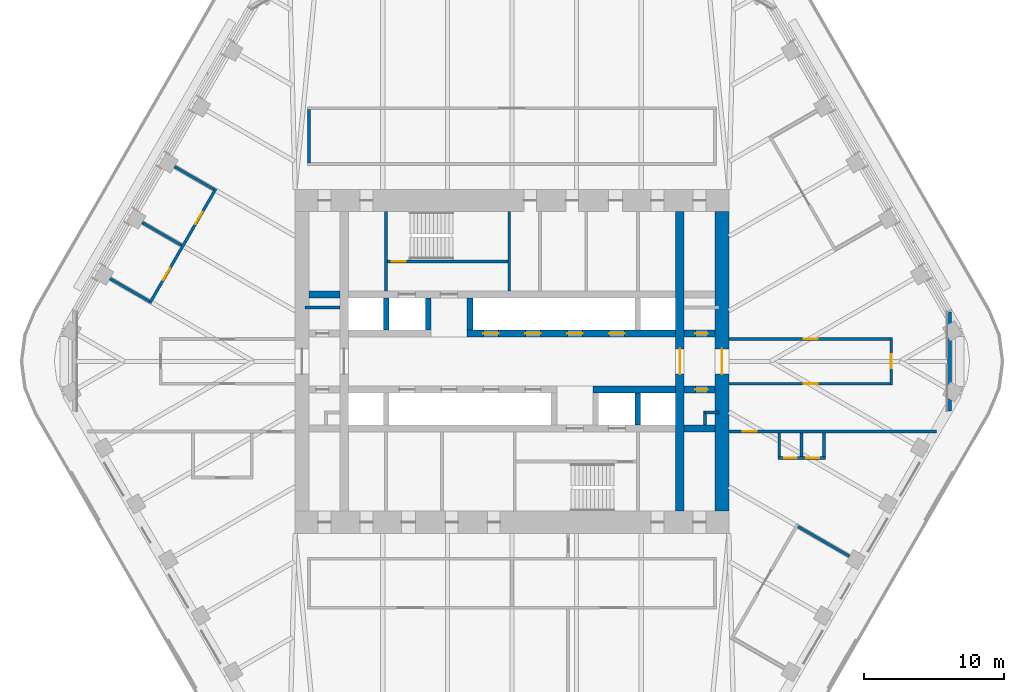
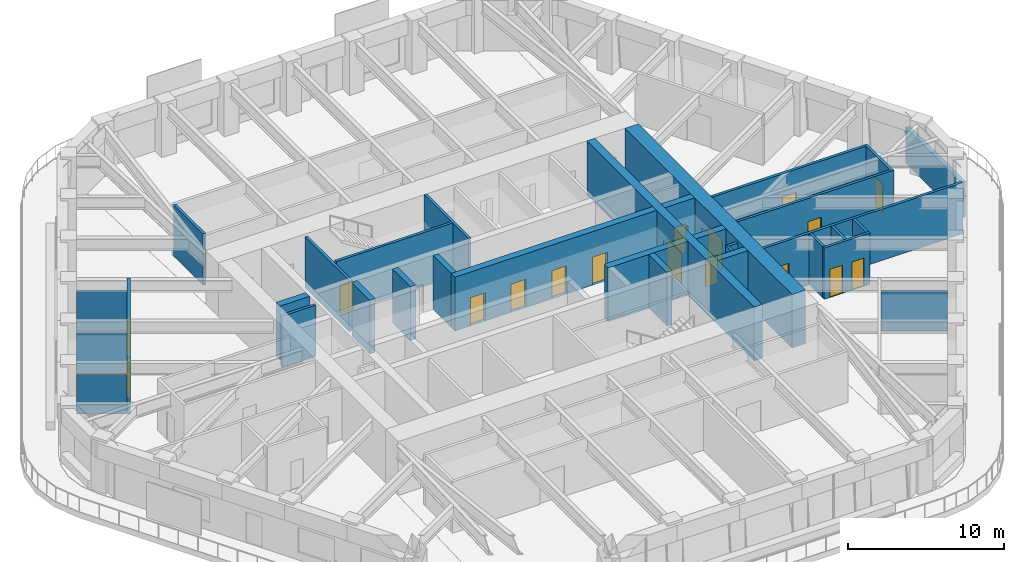
# One storey, part 16 of 20: 33 walls, 17 doors, 17 openings.
"""IFC4 building model written with IfcOpenShell, lengths in metres."""

import ifcopenshell
import ifcopenshell.guid

model = None  # the IFC model being written
_history = None  # IfcOwnerHistory: only IFC2X3 demands one
_inside = {}  # id of a spatial element -> (the spatial element, [elements in it])
_under = {}  # id of a project, library or spatial element -> (it, [spatial elements below it])
_declared = {}  # id of a project -> (the project, [libraries it declares])
_typed = {}  # id of a type object -> (the type object, [elements of that type])
_made_of = {}  # id of a material, layer set ... -> (it, [elements and type objects made of it])


def new_model(schema):
    """Start an empty IFC model of exactly this schema.

    Asked for "IFC4X3", IfcOpenShell would pick the latest addendum, in which some entities
    have other attributes; the version numbers below select the first issue.
    IFC2X3 requires an IfcOwnerHistory on every rooted entity: one is made here for all.
    """
    global model, _history
    if schema == "IFC4X3":
        model = ifcopenshell.file(schema_version=(4, 3, 0, 0))
    else:
        model = ifcopenshell.file(schema=schema)
    _inside.clear()
    _under.clear()
    _declared.clear()
    _typed.clear()
    _made_of.clear()
    _history = None
    if model.schema == "IFC2X3":
        org = make("IfcOrganization", Name="unknown")
        user = make(
            "IfcPersonAndOrganization",
            ThePerson=make("IfcPerson", FamilyName="unknown"),
            TheOrganization=org,
        )
        app = make(
            "IfcApplication",
            ApplicationDeveloper=org,
            Version="unknown",
            ApplicationFullName="unknown",
            ApplicationIdentifier="unknown",
        )
        _history = make(
            "IfcOwnerHistory",
            OwningUser=user,
            OwningApplication=app,
            ChangeAction="ADDED",
            CreationDate=0,
        )
    return model


def make(cls, **values):
    """One entity of the class cls with the attributes given. An attribute that is None is left unset."""
    return model.create_entity(
        cls, **{name: value for name, value in values.items() if value is not None}
    )


def rooted(cls, **values):
    """An entity with a GlobalId (a new one), such as an element, a storey or a relation."""
    return make(cls, GlobalId=ifcopenshell.guid.new(), OwnerHistory=_history, **values)


def si_unit(unit_type, name, prefix=None):
    """IfcSIUnit, for example si_unit("LENGTHUNIT", "METRE", prefix="MILLI")."""
    return make("IfcSIUnit", UnitType=unit_type, Prefix=prefix, Name=name)


def assignment(units):
    """IfcUnitAssignment: the units of a project."""
    return None if units is None else make("IfcUnitAssignment", Units=units)


def point(xyz):
    """IfcCartesianPoint."""
    return None if xyz is None else make("IfcCartesianPoint", Coordinates=xyz)


def direction(xyz):
    """IfcDirection."""
    return None if xyz is None else make("IfcDirection", DirectionRatios=xyz)


def frame(location, z_axis=None, x_axis=None):
    """IfcAxis2Placement3D, a coordinate frame: its origin and axes. An axis left out is left unset."""
    return make(
        "IfcAxis2Placement3D",
        Location=point(location),
        Axis=direction(z_axis),
        RefDirection=direction(x_axis),
    )


def frame_2d(location, x_axis=None):
    """IfcAxis2Placement2D, a coordinate frame in the plane: its origin and x axis."""
    return make(
        "IfcAxis2Placement2D", Location=point(location), RefDirection=direction(x_axis)
    )


def origin():
    """The frame at (0, 0, 0) with its axes left unset."""
    return frame((0.0, 0.0, 0.0))


def place(relative_to, where):
    """IfcLocalPlacement: puts the frame where relative to a parent placement (None: the world)."""
    return make(
        "IfcLocalPlacement", PlacementRelTo=relative_to, RelativePlacement=where
    )


def context(
    kind, dimensions, precision=None, world=None, true_north=None, identifier=None
):
    """IfcGeometricRepresentationContext, for example the 3D "Model" context."""
    return make(
        "IfcGeometricRepresentationContext",
        ContextIdentifier=identifier,
        ContextType=kind,
        CoordinateSpaceDimension=dimensions,
        Precision=precision,
        WorldCoordinateSystem=world,
        TrueNorth=true_north,
    )


def subcontext(parent, identifier, kind, view, scale=None):
    """IfcGeometricRepresentationSubContext, for example "Body" below "Model"."""
    return make(
        "IfcGeometricRepresentationSubContext",
        ContextIdentifier=identifier,
        ContextType=kind,
        ParentContext=parent,
        TargetScale=scale,
        TargetView=view,
    )


def project(units=None, contexts=None):
    """IfcProject with its units and contexts."""
    return rooted(
        "IfcProject",
        Name="project",
        RepresentationContexts=contexts,
        UnitsInContext=assignment(units),
    )


def spatial(cls, under=None, at=None, **own):
    """A site, building, storey or space (cls), placed at a placement, below another one or the project."""
    s = rooted(cls, ObjectPlacement=at, **own)
    if under is not None:
        _under.setdefault(under.id(), (under, []))[1].append(s)
    return s


def profile(cls, at=None, kind="AREA", **sizes):
    """A parametric profile (cls). Its sizes go by their IFC names, for example OverallWidth=200.0."""
    return make(cls, ProfileType=kind, Position=at, **sizes)


def rectangle(**sizes):
    """IfcRectangleProfileDef."""
    return profile("IfcRectangleProfileDef", **sizes)


def extrude(swept, where, along, depth):
    """IfcExtrudedAreaSolid: the profile swept, set in the frame where, extruded along a direction by depth."""
    return make(
        "IfcExtrudedAreaSolid",
        SweptArea=swept,
        Position=where,
        ExtrudedDirection=direction(along),
        Depth=depth,
    )


def shape(context_of_items, identifier, shape_type, items):
    """IfcShapeRepresentation: the items that make up one representation, for example the "Body"."""
    return make(
        "IfcShapeRepresentation",
        ContextOfItems=context_of_items,
        RepresentationIdentifier=identifier,
        RepresentationType=shape_type,
        Items=items,
    )


def material(Name=None, Category=None):
    """IfcMaterial."""
    return make("IfcMaterial", Name=Name, Category=Category)


def layer(
    of_material, thickness, ventilated=None, Name=None, Category=None, Priority=None
):
    """IfcMaterialLayer: one layer of a wall or slab, of a material (None: an air gap)."""
    return make(
        "IfcMaterialLayer",
        Material=of_material,
        LayerThickness=thickness,
        IsVentilated=ventilated,
        Name=Name,
        Category=Category,
        Priority=Priority,
    )


def layer_set(layers, Name=None):
    """IfcMaterialLayerSet."""
    return make("IfcMaterialLayerSet", MaterialLayers=layers, LayerSetName=Name)


def made_of(thing, what):
    """Note that an element or type object is made of a material, layer set ...; save() writes the relation."""
    if what is not None:
        _made_of.setdefault(what.id(), (what, []))[1].append(thing)
    return thing


def type_object(cls, material=None, **own):
    """A type object (cls), such as IfcWallType, which elements share."""
    return made_of(rooted(cls, **own), material)


def element(
    cls,
    number,
    at=None,
    inside=None,
    cuts=None,
    type_object=None,
    material=None,
    context=None,
    identifier="Body",
    shape_type=None,
    held_by="IfcProductDefinitionShape",
    body=None,
    shapes=None,
    **own,
):
    """One element of the class cls, such as IfcWall. Its Tag is "e" and its number.

    at: its placement. inside: the storey or other place that contains it. cuts: it is an
    opening in that element (IfcRelVoidsElement). A single representation is given by context,
    identifier, shape_type and body (its items); several are given by shapes. held_by: the class
    of the entity that holds the representations. save() writes the other relations.
    """
    e = rooted(cls, Tag="e%d" % number, ObjectPlacement=at, **own)
    if body is not None:
        shapes = [shape(context, identifier, shape_type, body)]
    if shapes is not None:
        e.Representation = make(held_by, Representations=shapes)
    if inside is not None:
        _inside.setdefault(inside.id(), (inside, []))[1].append(e)
    if cuts is not None:
        rooted(
            "IfcRelVoidsElement", RelatingBuildingElement=cuts, RelatedOpeningElement=e
        )
    if type_object is not None:
        _typed.setdefault(type_object.id(), (type_object, []))[1].append(e)
    return made_of(e, material)


def fill(opening, filler):
    """IfcRelFillsElement: the door or window that sits in an opening."""
    return rooted(
        "IfcRelFillsElement",
        RelatingOpeningElement=opening,
        RelatedBuildingElement=filler,
    )


def aggregate(whole, parts):
    """IfcRelAggregates: a whole, such as a stair, and the parts it consists of."""
    return rooted("IfcRelAggregates", RelatingObject=whole, RelatedObjects=parts)


def save(model, path):
    """Write the relations noted so far, then the file.

    IfcRelAggregates (storeys below a building ...), IfcRelContainedInSpatialStructure (elements
    in a storey), IfcRelDefinesByType, IfcRelAssociatesMaterial and IfcRelDeclares: one each for
    every whole, place, type object, material and project.
    """
    for whole, parts in _under.values():
        aggregate(whole, parts)
    for where, things in _inside.values():
        rooted(
            "IfcRelContainedInSpatialStructure",
            RelatedElements=things,
            RelatingStructure=where,
        )
    for kind, things in _typed.values():
        rooted("IfcRelDefinesByType", RelatedObjects=things, RelatingType=kind)
    for what, things in _made_of.values():
        rooted("IfcRelAssociatesMaterial", RelatedObjects=things, RelatingMaterial=what)
    for by, libraries in _declared.values():
        rooted("IfcRelDeclares", RelatingContext=by, RelatedDefinitions=libraries)
    model.write(path)


model = new_model("IFC4")

# Units and contexts
model_context = context("Model", 3, precision=1e-05, world=origin(), true_north=direction((0.0, 1.0)))
body_context = subcontext(model_context, "Body", "Model", "MODEL_VIEW")
ifc_project = project(units=[si_unit("LENGTHUNIT", "METRE"), si_unit("AREAUNIT", "SQUARE_METRE"), si_unit("VOLUMEUNIT", "CUBIC_METRE"), si_unit("PLANEANGLEUNIT", "RADIAN"), si_unit("MASSUNIT", "GRAM", prefix="KILO")], contexts=[model_context])

# Site, building, storey
site_placement = place(None, origin())
site = spatial("IfcSite", under=ifc_project, at=site_placement, CompositionType="ELEMENT")
building_placement = place(site_placement, origin())
building = spatial("IfcBuilding", under=site, at=building_placement, Name="Tarfa Lantern Tower", CompositionType="ELEMENT")
storey_placement = place(building_placement, frame((0.0, 0.0, 282.699951171875)))
storey = spatial("IfcBuildingStorey", under=building, at=storey_placement, Name="L64", CompositionType="ELEMENT", Elevation=282.699951171875)

# Walls
ifc_material_1 = material(Name="Limestone cladding on blockwork", Category="masonry")
ifc_layer_1 = layer(ifc_material_1, 0.300048828125)
ifc_layer_set_1 = layer_set([ifc_layer_1], Name="EW1 STONE-CLAD WALL 300")
wall_type_1 = type_object("IfcWallType", Name="EW1 STONE-CLAD WALL 300", PredefinedType="SOLIDWALL", material=ifc_layer_set_1)
wall_1_placement = place(storey_placement, frame((31.262939453125, -3.55078125, 0.0), z_axis=(0.0, 0.0, 1.0), x_axis=(0.0, 1.0, 0.0)))
element("IfcWall", 1, at=wall_1_placement, inside=storey, type_object=wall_type_1, Name="Garden wall SE-NE", PredefinedType="SOLIDWALL", context=body_context, shape_type="SweptSolid", body=[
    extrude(rectangle(XDim=7.1015625, YDim=0.300048828125, at=frame_2d((3.55078125, 0.0))), origin(), (0.0, 0.0, 1.0), 2.800048828125),
])
ifc_material_2 = material(Name="Concrete blockwork", Category="masonry")
ifc_layer_2 = layer(ifc_material_2, 0.199951171875)
ifc_layer_set_2 = layer_set([ifc_layer_2], Name="IW1 BLOCKWORK PARTITION 200 EI 120")
wall_type_2 = type_object("IfcWallType", Name="IW1 BLOCKWORK PARTITION 200 EI 120", PredefinedType="PARTITIONING", material=ifc_layer_set_2)
wall_2_placement = place(storey_placement, frame((-9.0, 5.050048828125, 0.0), z_axis=(0.0, 0.0, 1.0), x_axis=(0.0, 1.0, 0.0)))
element("IfcWall", 2, at=wall_2_placement, inside=storey, type_object=wall_type_2, Name="Core partition", PredefinedType="PARTITIONING", context=body_context, shape_type="SweptSolid", body=[
    extrude(rectangle(XDim=5.64990234375, YDim=0.199951171875, at=frame_2d((2.824951171875, 0.0))), origin(), (0.0, 0.0, 1.0), 4.0),
])
wall_3_placement = place(storey_placement, frame((-14.800048828125, 3.85009765625, 0.0), z_axis=(0.0, 0.0, 1.0), x_axis=(1.0, 0.0, 0.0)))
element("IfcWall", 3, at=wall_3_placement, inside=storey, type_object=wall_type_2, Name="Core partition", PredefinedType="PARTITIONING", context=body_context, shape_type="SweptSolid", body=[
    extrude(rectangle(XDim=2.5, YDim=0.199951171875, at=frame_2d((1.25, 0.0))), origin(), (0.0, 0.0, 1.0), 4.0),
])
for number, where, z_axis, x_axis, name in (
    (4, (14.800048828125, -3.64990234375, 0.0), (0.0, 0.0, 1.0), (-1.0, 0.0, 0.0), "Core partition"),
    (5, (13.800048828125, -3.550048828125, 0.0), (0.0, 0.0, 1.0), (0.0, -1.0, 0.0), "Core partition"),
):
    element("IfcWall", number, at=place(storey_placement, frame(where, z_axis=z_axis, x_axis=x_axis)), inside=storey, type_object=wall_type_2, Name=name, PredefinedType="PARTITIONING", context=body_context, shape_type="SweptSolid", body=[
        extrude(rectangle(XDim=1.0, YDim=0.199951171875, at=frame_2d((0.5, 0.0))), origin(), (0.0, 0.0, 1.0), 4.0),
    ])
ifc_material_3 = material(Name="Gypsum board on steel studs", Category="steel")
ifc_layer_3 = layer(ifc_material_3, 0.2099609375)
ifc_layer_set_3 = layer_set([ifc_layer_3], Name="IW2 ACOUSTIC PARTITION 200")
wall_type_3 = type_object("IfcWallType", Name="IW2 ACOUSTIC PARTITION 200", PredefinedType="PARTITIONING", material=ifc_layer_set_3)
wall_4_placement = place(storey_placement, frame((-14.5, 14.199951171875, 0.0), z_axis=(0.0, 0.0, 1.0), x_axis=(0.0, 1.0, 0.0)))
element("IfcWall", 6, at=wall_4_placement, inside=storey, type_object=wall_type_3, Name="Partition", PredefinedType="PARTITIONING", context=body_context, shape_type="SweptSolid", body=[
    extrude(rectangle(XDim=3.800048828125, YDim=0.199951171875, at=frame_2d((1.89990234375, 0.0))), origin(), (0.0, 0.0, 1.0), 4.0),
])

# Wall, openings, doors
wall_5_placement = place(storey_placement, frame((-21.167724609375, 12.336669921875, 0.0), z_axis=(0.0, 0.0, 1.0), x_axis=(-0.499989672313, -0.866031366395, 0.0)))
wall_5 = element("IfcWall", 7, at=wall_5_placement, inside=storey, type_object=wall_type_3, Name="Partition", PredefinedType="PARTITIONING", context=body_context, shape_type="SweptSolid", body=[
    extrude(rectangle(XDim=9.437744140625, YDim=0.199951171875, at=frame_2d((4.71875, 0.0))), origin(), (0.0, 0.0, 1.0), 4.0),
])
opening_1_placement = place(wall_5_placement, frame((1.909423828125, 0.0, 0.0)))
opening_1 = element("IfcOpeningElement", 8, at=opening_1_placement, cuts=wall_5, Name="Opening D28", PredefinedType="OPENING", context=body_context, shape_type="SweptSolid", body=[
    extrude(rectangle(XDim=1.0, YDim=2.199951171875, at=frame_2d((0.5, 1.10009765625))), frame((0.0, 0.10986328125, 0.0), z_axis=(0.0, -1.0, 0.0), x_axis=(1.0, 0.0, 0.0)), (0.0, 0.0, 1.0), 0.219970703125),
])
opening_2_placement = place(wall_5_placement, frame((6.5283203125, 0.0, 0.0)))
opening_2 = element("IfcOpeningElement", 9, at=opening_2_placement, cuts=wall_5, Name="Opening D29", PredefinedType="OPENING", context=body_context, shape_type="SweptSolid", body=[
    extrude(rectangle(XDim=1.0, YDim=2.199951171875, at=frame_2d((0.5, 1.10009765625))), frame((0.0, 0.10986328125, 0.0), z_axis=(0.0, -1.0, 0.0), x_axis=(1.0, 0.0, 0.0)), (0.0, 0.0, 1.0), 0.219970703125),
])
ifc_material_4 = material(Name="Timber door", Category="wood")
door_type_1 = type_object("IfcDoorType", Name="DR1 ROOM DOOR 1000x2200", OperationType="SINGLE_SWING_LEFT", PredefinedType="DOOR", material=ifc_material_4)
door_1_placement = place(opening_1_placement, frame((1.0, 0.0, 0.0), z_axis=(0.0, 0.0, 1.0), x_axis=(-1.0, 0.0, 0.0)))
door_1 = element("IfcDoor", 10, at=door_1_placement, inside=storey, type_object=door_type_1, Name="Pantry door", OperationType="SINGLE_SWING_LEFT", OverallHeight=2.199951171875, OverallWidth=1.0, PredefinedType="DOOR", context=body_context, shape_type="SweptSolid", body=[
    extrude(rectangle(XDim=1.0, YDim=2.199951171875, at=frame_2d((0.5, 1.10009765625))), frame((0.0, 0.02490234375, 0.0), z_axis=(0.0, -1.0, 0.0), x_axis=(1.0, 0.0, 0.0)), (0.0, 0.0, 1.0), 0.050048828125),
])
fill(opening_1, door_1)
door_2_placement = place(opening_2_placement, frame((1.0, 0.0, 0.0), z_axis=(0.0, 0.0, 1.0), x_axis=(-1.0, 0.0, 0.0)))
door_2 = element("IfcDoor", 11, at=door_2_placement, inside=storey, type_object=door_type_1, Name="Quiet room door", OperationType="SINGLE_SWING_RIGHT", OverallHeight=2.199951171875, OverallWidth=1.0, PredefinedType="DOOR", context=body_context, shape_type="SweptSolid", body=[
    extrude(rectangle(XDim=1.0, YDim=2.199951171875, at=frame_2d((0.5, 1.10009765625))), frame((0.0, 0.02490234375, 0.0), z_axis=(0.0, -1.0, 0.0), x_axis=(1.0, 0.0, 0.0)), (0.0, 0.0, 1.0), 0.050048828125),
])
fill(opening_2, door_2)

# Walls
for number, where, z_axis, x_axis, name in (
    (12, (-21.30419921875, 12.300048828125, 0.0), (0.0, 0.0, 1.0), (-0.866034226713, 0.499984717929, 0.0), "Partition"),
    (13, (-23.613525390625, 8.300048828125, 0.0), (0.0, 0.0, 1.0), (-0.866034226713, 0.499984717929, 0.0), "Partition"),
    (14, (-25.923095703125, 4.300048828125, 0.0), (0.0, 0.0, 1.0), (-0.866015446554, 0.500017246033, 0.0), "Partition"),
):
    element("IfcWall", number, at=place(storey_placement, frame(where, z_axis=z_axis, x_axis=x_axis)), inside=storey, type_object=wall_type_3, Name=name, PredefinedType="PARTITIONING", context=body_context, shape_type="SweptSolid", body=[
        extrude(rectangle(XDim=3.25, YDim=0.199951171875, at=frame_2d((1.625, 0.0))), origin(), (0.0, 0.0, 1.0), 3.08154296875),
    ])
wall_6_placement = place(storey_placement, frame((20.438232421875, -11.800048828125, 0.0), z_axis=(0.0, 0.0, 1.0), x_axis=(0.866028703517, -0.499994284652, 0.0)))
element("IfcWall", 15, at=wall_6_placement, inside=storey, type_object=wall_type_3, Name="Partition", PredefinedType="PARTITIONING", context=body_context, shape_type="SweptSolid", body=[
    extrude(rectangle(XDim=4.25, YDim=0.199951171875, at=frame_2d((2.125, 0.0))), origin(), (0.0, 0.0, 1.0), 3.08154296875),
])

# Wall, opening, door
wall_7_placement = place(storey_placement, frame((15.5, 1.60009765625, 0.0), z_axis=(0.0, 0.0, 1.0), x_axis=(1.0, 0.0, 0.0)))
wall_7 = element("IfcWall", 16, at=wall_7_placement, inside=storey, type_object=wall_type_3, Name="Partition", PredefinedType="PARTITIONING", context=body_context, shape_type="SweptSolid", body=[
    extrude(rectangle(XDim=11.699951171875, YDim=0.199951171875, at=frame_2d((5.85009765625, 0.0))), origin(), (0.0, 0.0, 1.0), 4.0),
])
opening_3_placement = place(wall_7_placement, frame((5.35009765625, 0.0, 0.0)))
opening_3 = element("IfcOpeningElement", 17, at=opening_3_placement, cuts=wall_7, Name="Opening D38", PredefinedType="OPENING", context=body_context, shape_type="SweptSolid", body=[
    extrude(rectangle(XDim=1.0, YDim=2.199951171875, at=frame_2d((0.5, 1.10009765625))), frame((0.0, 0.10986328125, 0.0), z_axis=(0.0, -1.0, 0.0), x_axis=(1.0, 0.0, 0.0)), (0.0, 0.0, 1.0), 0.219970703125),
])
door_3_placement = place(opening_3_placement, origin())
door_3 = element("IfcDoor", 18, at=door_3_placement, inside=storey, type_object=door_type_1, Name="Corridor door", OperationType="SINGLE_SWING_RIGHT", OverallHeight=2.199951171875, OverallWidth=1.0, PredefinedType="DOOR", context=body_context, shape_type="SweptSolid", body=[
    extrude(rectangle(XDim=1.0, YDim=2.199951171875, at=frame_2d((0.5, 1.10009765625))), frame((0.0, 0.02490234375, 0.0), z_axis=(0.0, -1.0, 0.0), x_axis=(1.0, 0.0, 0.0)), (0.0, 0.0, 1.0), 0.050048828125),
])
fill(opening_3, door_3)

wall_8_placement = place(storey_placement, frame((15.5, -1.60009765625, 0.0), z_axis=(0.0, 0.0, 1.0), x_axis=(1.0, 0.0, 0.0)))
wall_8 = element("IfcWall", 19, at=wall_8_placement, inside=storey, type_object=wall_type_3, Name="Partition", PredefinedType="PARTITIONING", context=body_context, shape_type="SweptSolid", body=[
    extrude(rectangle(XDim=11.699951171875, YDim=0.199951171875, at=frame_2d((5.85009765625, 0.0))), origin(), (0.0, 0.0, 1.0), 4.0),
])
opening_4_placement = place(wall_8_placement, frame((5.35009765625, 0.0, 0.0)))
opening_4 = element("IfcOpeningElement", 20, at=opening_4_placement, cuts=wall_8, Name="Opening D39", PredefinedType="OPENING", context=body_context, shape_type="SweptSolid", body=[
    extrude(rectangle(XDim=1.0, YDim=2.199951171875, at=frame_2d((0.5, 1.10009765625))), frame((0.0, 0.10986328125, 0.0), z_axis=(0.0, -1.0, 0.0), x_axis=(1.0, 0.0, 0.0)), (0.0, 0.0, 1.0), 0.219970703125),
])
door_4_placement = place(opening_4_placement, frame((1.0, 0.0, 0.0), z_axis=(0.0, 0.0, 1.0), x_axis=(-1.0, 0.0, 0.0)))
door_4 = element("IfcDoor", 21, at=door_4_placement, inside=storey, type_object=door_type_1, Name="Corridor door", OperationType="SINGLE_SWING_LEFT", OverallHeight=2.199951171875, OverallWidth=1.0, PredefinedType="DOOR", context=body_context, shape_type="SweptSolid", body=[
    extrude(rectangle(XDim=1.0, YDim=2.199951171875, at=frame_2d((0.5, 1.10009765625))), frame((0.0, 0.02490234375, 0.0), z_axis=(0.0, -1.0, 0.0), x_axis=(1.0, 0.0, 0.0)), (0.0, 0.0, 1.0), 0.050048828125),
])
fill(opening_4, door_4)

wall_9_placement = place(storey_placement, frame((27.10009765625, -1.699951171875, 0.0), z_axis=(0.0, 0.0, 1.0), x_axis=(0.0, 1.0, 0.0)))
wall_9 = element("IfcWall", 22, at=wall_9_placement, inside=storey, type_object=wall_type_3, Name="Partition", PredefinedType="PARTITIONING", context=body_context, shape_type="SweptSolid", body=[
    extrude(rectangle(XDim=3.39990234375, YDim=0.199951171875, at=frame_2d((1.699951171875, 0.0))), origin(), (0.0, 0.0, 1.0), 4.0),
])
opening_5_placement = place(wall_9_placement, frame((1.199951171875, 0.0, 0.0)))
opening_5 = element("IfcOpeningElement", 23, at=opening_5_placement, cuts=wall_9, Name="Opening D37", PredefinedType="OPENING", context=body_context, shape_type="SweptSolid", body=[
    extrude(rectangle(XDim=1.0, YDim=2.199951171875, at=frame_2d((0.5, 1.10009765625))), frame((0.0, 0.10986328125, 0.0), z_axis=(0.0, -1.0, 0.0), x_axis=(1.0, 0.0, 0.0)), (0.0, 0.0, 1.0), 0.219970703125),
])
door_5_placement = place(opening_5_placement, frame((1.0, 0.0, 0.0), z_axis=(0.0, 0.0, 1.0), x_axis=(-1.0, 0.0, 0.0)))
door_5 = element("IfcDoor", 24, at=door_5_placement, inside=storey, type_object=door_type_1, Name="Corridor door", OperationType="SINGLE_SWING_LEFT", OverallHeight=2.199951171875, OverallWidth=1.0, PredefinedType="DOOR", context=body_context, shape_type="SweptSolid", body=[
    extrude(rectangle(XDim=1.0, YDim=2.199951171875, at=frame_2d((0.5, 1.10009765625))), frame((0.0, 0.02490234375, 0.0), z_axis=(0.0, -1.0, 0.0), x_axis=(1.0, 0.0, 0.0)), (0.0, 0.0, 1.0), 0.050048828125),
])
fill(opening_5, door_5)

wall_10_placement = place(storey_placement, frame((15.5, -5.0, 0.0), z_axis=(0.0, 0.0, 1.0), x_axis=(1.0, 0.0, 0.0)))
wall_10 = element("IfcWall", 25, at=wall_10_placement, inside=storey, type_object=wall_type_3, Name="Partition", PredefinedType="PARTITIONING", context=body_context, shape_type="SweptSolid", body=[
    extrude(rectangle(XDim=14.845458984375, YDim=0.199951171875, at=frame_2d((7.4228515625, 0.0))), origin(), (0.0, 0.0, 1.0), 4.0),
])
opening_6_placement = place(wall_10_placement, frame((0.984619140625, 0.0, 0.0)))
opening_6 = element("IfcOpeningElement", 26, at=opening_6_placement, cuts=wall_10, Name="Opening D43", PredefinedType="OPENING", context=body_context, shape_type="SweptSolid", body=[
    extrude(rectangle(XDim=1.0, YDim=2.199951171875, at=frame_2d((0.5, 1.10009765625))), frame((0.0, 0.10986328125, 0.0), z_axis=(0.0, -1.0, 0.0), x_axis=(1.0, 0.0, 0.0)), (0.0, 0.0, 1.0), 0.219970703125),
])
door_6_placement = place(opening_6_placement, frame((1.0, 0.0, 0.0), z_axis=(0.0, 0.0, 1.0), x_axis=(-1.0, 0.0, 0.0)))
door_6 = element("IfcDoor", 27, at=door_6_placement, inside=storey, type_object=door_type_1, Name="Zone door", OperationType="SINGLE_SWING_LEFT", OverallHeight=2.199951171875, OverallWidth=1.0, PredefinedType="DOOR", context=body_context, shape_type="SweptSolid", body=[
    extrude(rectangle(XDim=1.0, YDim=2.199951171875, at=frame_2d((0.5, 1.10009765625))), frame((0.0, 0.02490234375, 0.0), z_axis=(0.0, -1.0, 0.0), x_axis=(1.0, 0.0, 0.0)), (0.0, 0.0, 1.0), 0.050048828125),
])
fill(opening_6, door_6)

# Wall, openings, doors
wall_11_placement = place(storey_placement, frame((18.995849609375, -6.89990234375, 0.0), z_axis=(0.0, 0.0, 1.0), x_axis=(1.0, 0.0, 0.0)))
wall_11 = element("IfcWall", 28, at=wall_11_placement, inside=storey, type_object=wall_type_3, Name="Partition", PredefinedType="PARTITIONING", context=body_context, shape_type="SweptSolid", body=[
    extrude(rectangle(XDim=3.400146484375, YDim=0.199951171875, at=frame_2d((1.7001953125, 0.0))), origin(), (0.0, 0.0, 1.0), 4.0),
])
opening_7_placement = place(wall_11_placement, frame((0.449951171875, 0.0, 0.0)))
opening_7 = element("IfcOpeningElement", 29, at=opening_7_placement, cuts=wall_11, Name="Opening D34", PredefinedType="OPENING", context=body_context, shape_type="SweptSolid", body=[
    extrude(rectangle(XDim=0.89990234375, YDim=2.199951171875, at=frame_2d((0.449951171875, 1.10009765625))), frame((0.0, 0.10986328125, 0.0), z_axis=(0.0, -1.0, 0.0), x_axis=(1.0, 0.0, 0.0)), (0.0, 0.0, 1.0), 0.219970703125),
])
opening_8_placement = place(wall_11_placement, frame((2.050048828125, 0.0, 0.0)))
opening_8 = element("IfcOpeningElement", 30, at=opening_8_placement, cuts=wall_11, Name="Opening D35", PredefinedType="OPENING", context=body_context, shape_type="SweptSolid", body=[
    extrude(rectangle(XDim=0.89990234375, YDim=2.199951171875, at=frame_2d((0.449951171875, 1.10009765625))), frame((0.0, 0.10986328125, 0.0), z_axis=(0.0, -1.0, 0.0), x_axis=(1.0, 0.0, 0.0)), (0.0, 0.0, 1.0), 0.219970703125),
])
door_type_2 = type_object("IfcDoorType", Name="DR3 ROOM DOOR 900x2200", OperationType="SINGLE_SWING_LEFT", PredefinedType="DOOR", material=ifc_material_4)
door_7_placement = place(opening_7_placement, origin())
door_7 = element("IfcDoor", 31, at=door_7_placement, inside=storey, type_object=door_type_2, Name="Phone booth door", OperationType="SINGLE_SWING_RIGHT", OverallHeight=2.199951171875, OverallWidth=0.89990234375, PredefinedType="DOOR", context=body_context, shape_type="SweptSolid", body=[
    extrude(rectangle(XDim=0.89990234375, YDim=2.199951171875, at=frame_2d((0.449951171875, 1.10009765625))), frame((0.0, 0.02490234375, 0.0), z_axis=(0.0, -1.0, 0.0), x_axis=(1.0, 0.0, 0.0)), (0.0, 0.0, 1.0), 0.050048828125),
])
fill(opening_7, door_7)
door_8_placement = place(opening_8_placement, origin())
door_8 = element("IfcDoor", 32, at=door_8_placement, inside=storey, type_object=door_type_2, Name="Phone booth door", OperationType="SINGLE_SWING_LEFT", OverallHeight=2.199951171875, OverallWidth=0.89990234375, PredefinedType="DOOR", context=body_context, shape_type="SweptSolid", body=[
    extrude(rectangle(XDim=0.89990234375, YDim=2.199951171875, at=frame_2d((0.449951171875, 1.10009765625))), frame((0.0, 0.02490234375, 0.0), z_axis=(0.0, -1.0, 0.0), x_axis=(1.0, 0.0, 0.0)), (0.0, 0.0, 1.0), 0.050048828125),
])
fill(opening_8, door_8)

# Walls
for number, where, z_axis, x_axis, name in (
    (33, (19.095947265625, -5.10009765625, 0.0), (0.0, 0.0, 1.0), (0.0, -1.0, 0.0), "Partition"),
    (34, (20.69580078125, -5.10009765625, 0.0), (0.0, 0.0, 1.0), (0.0, -1.0, 0.0), "Partition"),
    (35, (22.2958984375, -5.10009765625, 0.0), (0.0, 0.0, 1.0), (0.0, -1.0, 0.0), "Partition"),
):
    element("IfcWall", number, at=place(storey_placement, frame(where, z_axis=z_axis, x_axis=x_axis)), inside=storey, type_object=wall_type_3, Name=name, PredefinedType="PARTITIONING", context=body_context, shape_type="SweptSolid", body=[
        extrude(rectangle(XDim=1.699951171875, YDim=0.199951171875, at=frame_2d((0.85009765625, 0.0))), origin(), (0.0, 0.0, 1.0), 4.0),
    ])
ifc_material_5 = material(Name="Concrete C80/95", Category="concrete")
ifc_layer_4 = layer(ifc_material_5, 0.199951171875)
ifc_layer_set_4 = layer_set([ifc_layer_4], Name="SW12 CORE WALL 200")
wall_type_4 = type_object("IfcWallType", Name="SW12 CORE WALL 200", PredefinedType="SHEAR", material=ifc_layer_set_4)
wall_12_placement = place(storey_placement, frame((-0.199951171875, 5.050048828125, 0.0), z_axis=(0.0, 0.0, 1.0), x_axis=(0.0, 1.0, 0.0)))
element("IfcWall", 36, at=wall_12_placement, inside=storey, type_object=wall_type_4, Name="Core wall stair shaft N", PredefinedType="SHEAR", context=body_context, shape_type="SweptSolid", body=[
    extrude(rectangle(XDim=5.64990234375, YDim=0.199951171875, at=frame_2d((2.824951171875, 0.0))), origin(), (0.0, 0.0, 1.0), 4.199951171875),
])

# Wall, opening, door
wall_13_placement = place(storey_placement, frame((-8.89990234375, 7.14990234375, 0.0), z_axis=(0.0, 0.0, 1.0), x_axis=(1.0, 0.0, 0.0)))
wall_13 = element("IfcWall", 37, at=wall_13_placement, inside=storey, type_object=wall_type_4, Name="Core wall stair partition N", PredefinedType="SHEAR", context=body_context, shape_type="SweptSolid", body=[
    extrude(rectangle(XDim=8.599853515625, YDim=0.199951171875, at=frame_2d((4.2998046875, 0.0))), origin(), (0.0, 0.0, 1.0), 4.199951171875),
])
opening_9_placement = place(wall_13_placement, frame((0.300048828125, 0.0, 0.0)))
opening_9 = element("IfcOpeningElement", 38, at=opening_9_placement, cuts=wall_13, Name="Opening D23", PredefinedType="OPENING", context=body_context, shape_type="SweptSolid", body=[
    extrude(rectangle(XDim=1.0, YDim=2.199951171875, at=frame_2d((0.5, 1.10009765625))), frame((0.0, 0.10986328125, 0.0), z_axis=(0.0, -1.0, 0.0), x_axis=(1.0, 0.0, 0.0)), (0.0, 0.0, 1.0), 0.219970703125),
])
ifc_material_6 = material(Name="Steel fire door", Category="steel")
door_type_3 = type_object("IfcDoorType", Name="DF2 STAIR DOOR 1000x2200", OperationType="SINGLE_SWING_LEFT", PredefinedType="DOOR", material=ifc_material_6)
door_9_placement = place(opening_9_placement, origin())
door_9 = element("IfcDoor", 39, at=door_9_placement, inside=storey, type_object=door_type_3, Name="Stair door", OperationType="SINGLE_SWING_RIGHT", OverallHeight=2.199951171875, OverallWidth=1.0, PredefinedType="DOOR", context=body_context, shape_type="SweptSolid", body=[
    extrude(rectangle(XDim=1.0, YDim=2.199951171875, at=frame_2d((0.5, 1.10009765625))), frame((0.0, 0.02490234375, 0.0), z_axis=(0.0, -1.0, 0.0), x_axis=(1.0, 0.0, 0.0)), (0.0, 0.0, 1.0), 0.050048828125),
])
fill(opening_9, door_9)

ifc_layer_5 = layer(ifc_material_5, 1.0)
ifc_layer_set_5 = layer_set([ifc_layer_5], Name="SW2 CORE WALL 1000")
wall_type_5 = type_object("IfcWallType", Name="SW2 CORE WALL 1000", PredefinedType="SHEAR", material=ifc_layer_set_5)
wall_14_placement = place(storey_placement, frame((15.0, -10.699951171875, 0.0), z_axis=(0.0, 0.0, 1.0), x_axis=(0.0, 1.0, 0.0)))
wall_14 = element("IfcWall", 40, at=wall_14_placement, inside=storey, type_object=wall_type_5, Name="Core wall E", PredefinedType="SHEAR", context=body_context, shape_type="SweptSolid", body=[
    extrude(rectangle(XDim=21.39990234375, YDim=1.0, at=frame_2d((10.699951171875, 0.0))), origin(), (0.0, 0.0, 1.0), 4.199951171875),
])
opening_10_placement = place(wall_14_placement, frame((9.800048828125, 0.0, 0.0)))
opening_10 = element("IfcOpeningElement", 41, at=opening_10_placement, cuts=wall_14, Name="Opening D11", PredefinedType="OPENING", context=body_context, shape_type="SweptSolid", body=[
    extrude(rectangle(XDim=1.800048828125, YDim=2.39990234375, at=frame_2d((0.89990234375, 1.199951171875))), frame((0.0, 0.510009765625, 0.0), z_axis=(0.0, -1.0, 0.0), x_axis=(1.0, 0.0, 0.0)), (0.0, 0.0, 1.0), 1.02001953125),
])
door_type_4 = type_object("IfcDoorType", Name="DL1 LOBBY DOOR 1800x2400", OperationType="DOUBLE_DOOR_SINGLE_SWING", PredefinedType="DOOR", material=ifc_material_6)
door_10_placement = place(opening_10_placement, frame((1.800048828125, 0.0, 0.0), z_axis=(0.0, 0.0, 1.0), x_axis=(-1.0, 0.0, 0.0)))
door_10 = element("IfcDoor", 42, at=door_10_placement, inside=storey, type_object=door_type_4, Name="Lift lobby door", OperationType="DOUBLE_DOOR_SINGLE_SWING", OverallHeight=2.39990234375, OverallWidth=1.800048828125, PredefinedType="DOOR", context=body_context, shape_type="SweptSolid", body=[
    extrude(rectangle(XDim=1.800048828125, YDim=2.39990234375, at=frame_2d((0.89990234375, 1.199951171875))), frame((0.0, 0.02490234375, 0.0), z_axis=(0.0, -1.0, 0.0), x_axis=(1.0, 0.0, 0.0)), (0.0, 0.0, 1.0), 0.050048828125),
])
fill(opening_10, door_10)

# Wall, openings, doors
ifc_layer_6 = layer(ifc_material_5, 0.5)
ifc_layer_set_6 = layer_set([ifc_layer_6], Name="SW5 CORE WALL 500")
wall_type_6 = type_object("IfcWallType", Name="SW5 CORE WALL 500", PredefinedType="SHEAR", material=ifc_layer_set_6)
wall_15_placement = place(storey_placement, frame((-3.199951171875, 2.0, 0.0), z_axis=(0.0, 0.0, 1.0), x_axis=(1.0, 0.0, 0.0)))
wall_15 = element("IfcWall", 43, at=wall_15_placement, inside=storey, type_object=wall_type_6, Name="Core wall lobby east N", PredefinedType="SHEAR", context=body_context, shape_type="SweptSolid", body=[
    extrude(rectangle(XDim=14.89990234375, YDim=0.5, at=frame_2d((7.449951171875, 0.0))), origin(), (0.0, 0.0, 1.0), 4.199951171875),
])
opening_11_placement = place(wall_15_placement, frame((1.14990234375, 0.0, 0.0)))
opening_11 = element("IfcOpeningElement", 44, at=opening_11_placement, cuts=wall_15, Name="Opening LD03", PredefinedType="OPENING", context=body_context, shape_type="SweptSolid", body=[
    extrude(rectangle(XDim=1.10009765625, YDim=2.199951171875, at=frame_2d((0.550048828125, 1.10009765625))), frame((0.0, 0.260009765625, 0.0), z_axis=(0.0, -1.0, 0.0), x_axis=(1.0, 0.0, 0.0)), (0.0, 0.0, 1.0), 0.52001953125),
])
opening_12_placement = place(wall_15_placement, frame((4.14990234375, 0.0, 0.0)))
opening_12 = element("IfcOpeningElement", 45, at=opening_12_placement, cuts=wall_15, Name="Opening LD04", PredefinedType="OPENING", context=body_context, shape_type="SweptSolid", body=[
    extrude(rectangle(XDim=1.10009765625, YDim=2.199951171875, at=frame_2d((0.550048828125, 1.10009765625))), frame((0.0, 0.260009765625, 0.0), z_axis=(0.0, -1.0, 0.0), x_axis=(1.0, 0.0, 0.0)), (0.0, 0.0, 1.0), 0.52001953125),
])
opening_13_placement = place(wall_15_placement, frame((7.14990234375, 0.0, 0.0)))
opening_13 = element("IfcOpeningElement", 46, at=opening_13_placement, cuts=wall_15, Name="Opening LD05", PredefinedType="OPENING", context=body_context, shape_type="SweptSolid", body=[
    extrude(rectangle(XDim=1.10009765625, YDim=2.199951171875, at=frame_2d((0.550048828125, 1.10009765625))), frame((0.0, 0.260009765625, 0.0), z_axis=(0.0, -1.0, 0.0), x_axis=(1.0, 0.0, 0.0)), (0.0, 0.0, 1.0), 0.52001953125),
])
opening_14_placement = place(wall_15_placement, frame((10.14990234375, 0.0, 0.0)))
opening_14 = element("IfcOpeningElement", 47, at=opening_14_placement, cuts=wall_15, Name="Opening LD06", PredefinedType="OPENING", context=body_context, shape_type="SweptSolid", body=[
    extrude(rectangle(XDim=1.10009765625, YDim=2.199951171875, at=frame_2d((0.550048828125, 1.10009765625))), frame((0.0, 0.260009765625, 0.0), z_axis=(0.0, -1.0, 0.0), x_axis=(1.0, 0.0, 0.0)), (0.0, 0.0, 1.0), 0.52001953125),
])
ifc_material_7 = material(Name="Stainless steel lift door", Category="steel")
door_type_5 = type_object("IfcDoorType", Name="LD2 LIFT LANDING DOOR 1100x2200", OperationType="SLIDING_TO_LEFT", PredefinedType="DOOR", material=ifc_material_7)
door_11_placement = place(opening_11_placement, frame((1.10009765625, 0.0, 0.0), z_axis=(0.0, 0.0, 1.0), x_axis=(-1.0, 0.0, 0.0)))
door_11 = element("IfcDoor", 48, at=door_11_placement, inside=storey, type_object=door_type_5, Name="Landing door PC1", OperationType="SLIDING_TO_LEFT", OverallHeight=2.199951171875, OverallWidth=1.10009765625, PredefinedType="DOOR", context=body_context, shape_type="SweptSolid", body=[
    extrude(rectangle(XDim=1.10009765625, YDim=2.199951171875, at=frame_2d((0.550048828125, 1.10009765625))), frame((0.0, 0.02490234375, 0.0), z_axis=(0.0, -1.0, 0.0), x_axis=(1.0, 0.0, 0.0)), (0.0, 0.0, 1.0), 0.050048828125),
])
fill(opening_11, door_11)
door_12_placement = place(opening_12_placement, frame((1.10009765625, 0.0, 0.0), z_axis=(0.0, 0.0, 1.0), x_axis=(-1.0, 0.0, 0.0)))
door_12 = element("IfcDoor", 49, at=door_12_placement, inside=storey, type_object=door_type_5, Name="Landing door PC2", OperationType="SLIDING_TO_LEFT", OverallHeight=2.199951171875, OverallWidth=1.10009765625, PredefinedType="DOOR", context=body_context, shape_type="SweptSolid", body=[
    extrude(rectangle(XDim=1.10009765625, YDim=2.199951171875, at=frame_2d((0.550048828125, 1.10009765625))), frame((0.0, 0.02490234375, 0.0), z_axis=(0.0, -1.0, 0.0), x_axis=(1.0, 0.0, 0.0)), (0.0, 0.0, 1.0), 0.050048828125),
])
fill(opening_12, door_12)
door_13_placement = place(opening_13_placement, frame((1.10009765625, 0.0, 0.0), z_axis=(0.0, 0.0, 1.0), x_axis=(-1.0, 0.0, 0.0)))
door_13 = element("IfcDoor", 50, at=door_13_placement, inside=storey, type_object=door_type_5, Name="Landing door PC3", OperationType="SLIDING_TO_LEFT", OverallHeight=2.199951171875, OverallWidth=1.10009765625, PredefinedType="DOOR", context=body_context, shape_type="SweptSolid", body=[
    extrude(rectangle(XDim=1.10009765625, YDim=2.199951171875, at=frame_2d((0.550048828125, 1.10009765625))), frame((0.0, 0.02490234375, 0.0), z_axis=(0.0, -1.0, 0.0), x_axis=(1.0, 0.0, 0.0)), (0.0, 0.0, 1.0), 0.050048828125),
])
fill(opening_13, door_13)
door_14_placement = place(opening_14_placement, frame((1.10009765625, 0.0, 0.0), z_axis=(0.0, 0.0, 1.0), x_axis=(-1.0, 0.0, 0.0)))
door_14 = element("IfcDoor", 51, at=door_14_placement, inside=storey, type_object=door_type_5, Name="Landing door PC4", OperationType="SLIDING_TO_LEFT", OverallHeight=2.199951171875, OverallWidth=1.10009765625, PredefinedType="DOOR", context=body_context, shape_type="SweptSolid", body=[
    extrude(rectangle(XDim=1.10009765625, YDim=2.199951171875, at=frame_2d((0.550048828125, 1.10009765625))), frame((0.0, 0.02490234375, 0.0), z_axis=(0.0, -1.0, 0.0), x_axis=(1.0, 0.0, 0.0)), (0.0, 0.0, 1.0), 0.050048828125),
])
fill(opening_14, door_14)

# Wall, opening, door
wall_16_placement = place(storey_placement, frame((12.300048828125, 2.0, 0.0), z_axis=(0.0, 0.0, 1.0), x_axis=(1.0, 0.0, 0.0)))
wall_16 = element("IfcWall", 52, at=wall_16_placement, inside=storey, type_object=wall_type_6, Name="Core wall lobby east N", PredefinedType="SHEAR", context=body_context, shape_type="SweptSolid", body=[
    extrude(rectangle(XDim=2.199951171875, YDim=0.5, at=frame_2d((1.10009765625, 0.0))), origin(), (0.0, 0.0, 1.0), 4.199951171875),
])
opening_15_placement = place(wall_16_placement, frame((0.800048828125, 0.0, 0.0)))
opening_15 = element("IfcOpeningElement", 53, at=opening_15_placement, cuts=wall_16, Name="Opening D13", PredefinedType="OPENING", context=body_context, shape_type="SweptSolid", body=[
    extrude(rectangle(XDim=0.89990234375, YDim=2.199951171875, at=frame_2d((0.449951171875, 1.10009765625))), frame((0.0, 0.260009765625, 0.0), z_axis=(0.0, -1.0, 0.0), x_axis=(1.0, 0.0, 0.0)), (0.0, 0.0, 1.0), 0.52001953125),
])
door_type_6 = type_object("IfcDoorType", Name="DF6 SERVICE ROOM DOOR 900x2200", OperationType="SINGLE_SWING_LEFT", PredefinedType="DOOR", material=ifc_material_6)
door_15_placement = place(opening_15_placement, origin())
door_15 = element("IfcDoor", 54, at=door_15_placement, inside=storey, type_object=door_type_6, Name="Service room door", OperationType="SINGLE_SWING_LEFT", OverallHeight=2.199951171875, OverallWidth=0.89990234375, PredefinedType="DOOR", context=body_context, shape_type="SweptSolid", body=[
    extrude(rectangle(XDim=0.89990234375, YDim=2.199951171875, at=frame_2d((0.449951171875, 1.10009765625))), frame((0.0, 0.02490234375, 0.0), z_axis=(0.0, -1.0, 0.0), x_axis=(1.0, 0.0, 0.0)), (0.0, 0.0, 1.0), 0.050048828125),
])
fill(opening_15, door_15)

# Wall
wall_17_placement = place(storey_placement, frame((-14.5, 4.800048828125, 0.0), z_axis=(0.0, 0.0, 1.0), x_axis=(1.0, 0.0, 0.0)))
element("IfcWall", 55, at=wall_17_placement, inside=storey, type_object=wall_type_6, Name="Core wall rear N", PredefinedType="SHEAR", context=body_context, shape_type="SweptSolid", body=[
    extrude(rectangle(XDim=2.199951171875, YDim=0.5, at=frame_2d((1.10009765625, 0.0))), origin(), (0.0, 0.0, 1.0), 4.199951171875),
])

# Wall, opening, door
wall_18_placement = place(storey_placement, frame((14.5, -2.0, 0.0), z_axis=(0.0, 0.0, 1.0), x_axis=(-1.0, 0.0, 0.0)))
wall_18 = element("IfcWall", 56, at=wall_18_placement, inside=storey, type_object=wall_type_6, Name="Core wall lobby west S", PredefinedType="SHEAR", context=body_context, shape_type="SweptSolid", body=[
    extrude(rectangle(XDim=2.199951171875, YDim=0.5, at=frame_2d((1.10009765625, 0.0))), origin(), (0.0, 0.0, 1.0), 4.199951171875),
])
opening_16_placement = place(wall_18_placement, frame((0.5, 0.0, 0.0)))
opening_16 = element("IfcOpeningElement", 57, at=opening_16_placement, cuts=wall_18, Name="Opening D16", PredefinedType="OPENING", context=body_context, shape_type="SweptSolid", body=[
    extrude(rectangle(XDim=0.89990234375, YDim=2.199951171875, at=frame_2d((0.449951171875, 1.10009765625))), frame((0.0, 0.260009765625, 0.0), z_axis=(0.0, -1.0, 0.0), x_axis=(1.0, 0.0, 0.0)), (0.0, 0.0, 1.0), 0.52001953125),
])
door_16_placement = place(opening_16_placement, origin())
door_16 = element("IfcDoor", 58, at=door_16_placement, inside=storey, type_object=door_type_6, Name="Service room door", OperationType="SINGLE_SWING_RIGHT", OverallHeight=2.199951171875, OverallWidth=0.89990234375, PredefinedType="DOOR", context=body_context, shape_type="SweptSolid", body=[
    extrude(rectangle(XDim=0.89990234375, YDim=2.199951171875, at=frame_2d((0.449951171875, 1.10009765625))), frame((0.0, 0.02490234375, 0.0), z_axis=(0.0, -1.0, 0.0), x_axis=(1.0, 0.0, 0.0)), (0.0, 0.0, 1.0), 0.050048828125),
])
fill(opening_16, door_16)

# Walls
wall_19_placement = place(storey_placement, frame((11.699951171875, -2.0, 0.0), z_axis=(0.0, 0.0, 1.0), x_axis=(-1.0, 0.0, 0.0)))
element("IfcWall", 59, at=wall_19_placement, inside=storey, type_object=wall_type_6, Name="Core wall lobby west S", PredefinedType="SHEAR", context=body_context, shape_type="SweptSolid", body=[
    extrude(rectangle(XDim=5.89990234375, YDim=0.5, at=frame_2d((2.949951171875, 0.0))), origin(), (0.0, 0.0, 1.0), 4.199951171875),
])
wall_20_placement = place(storey_placement, frame((14.5, -4.800048828125, 0.0), z_axis=(0.0, 0.0, 1.0), x_axis=(-1.0, 0.0, 0.0)))
element("IfcWall", 60, at=wall_20_placement, inside=storey, type_object=wall_type_6, Name="Core wall rear S", PredefinedType="SHEAR", context=body_context, shape_type="SweptSolid", body=[
    extrude(rectangle(XDim=2.199951171875, YDim=0.5, at=frame_2d((1.10009765625, 0.0))), origin(), (0.0, 0.0, 1.0), 4.199951171875),
])
ifc_layer_7 = layer(ifc_material_5, 0.39990234375)
ifc_layer_set_7 = layer_set([ifc_layer_7], Name="SW6 CORE WALL 400")
wall_type_7 = type_object("IfcWallType", Name="SW6 CORE WALL 400", PredefinedType="SHEAR", material=ifc_layer_set_7)
for number, where, z_axis, x_axis, name in (
    (61, (-9.0, 2.25, 0.0), (0.0, 0.0, 1.0), (0.0, 1.0, 0.0), "Core wall divider N"),
    (62, (-6.0, 2.25, 0.0), (0.0, 0.0, 1.0), (0.0, 1.0, 0.0), "Core wall divider N"),
    (63, (-3.0, 2.25, 0.0), (0.0, 0.0, 1.0), (0.0, 1.0, 0.0), "Core wall divider N"),
    (64, (9.0, -2.25, 0.0), (0.0, 0.0, 1.0), (0.0, -1.0, 0.0), "Core wall divider S"),
):
    element("IfcWall", number, at=place(storey_placement, frame(where, z_axis=z_axis, x_axis=x_axis)), inside=storey, type_object=wall_type_7, Name=name, PredefinedType="SHEAR", context=body_context, shape_type="SweptSolid", body=[
        extrude(rectangle(XDim=2.300048828125, YDim=0.39990234375, at=frame_2d((1.14990234375, 0.0))), origin(), (0.0, 0.0, 1.0), 4.199951171875),
    ])

# Wall, opening, door
ifc_layer_8 = layer(ifc_material_5, 0.60009765625)
ifc_layer_set_8 = layer_set([ifc_layer_8], Name="SW9 CORE WALL 600")
wall_type_8 = type_object("IfcWallType", Name="SW9 CORE WALL 600", PredefinedType="SHEAR", material=ifc_layer_set_8)
wall_21_placement = place(storey_placement, frame((12.0, -10.699951171875, 0.0), z_axis=(0.0, 0.0, 1.0), x_axis=(0.0, 1.0, 0.0)))
wall_21 = element("IfcWall", 65, at=wall_21_placement, inside=storey, type_object=wall_type_8, Name="Core wall cross 12 m east", PredefinedType="SHEAR", context=body_context, shape_type="SweptSolid", body=[
    extrude(rectangle(XDim=21.39990234375, YDim=0.60009765625, at=frame_2d((10.699951171875, 0.0))), origin(), (0.0, 0.0, 1.0), 4.199951171875),
])
opening_17_placement = place(wall_21_placement, frame((9.800048828125, 0.0, 0.0)))
opening_17 = element("IfcOpeningElement", 66, at=opening_17_placement, cuts=wall_21, Name="Opening D25", PredefinedType="OPENING", context=body_context, shape_type="SweptSolid", body=[
    extrude(rectangle(XDim=1.800048828125, YDim=2.39990234375, at=frame_2d((0.89990234375, 1.199951171875))), frame((0.0, 0.31005859375, 0.0), z_axis=(0.0, -1.0, 0.0), x_axis=(1.0, 0.0, 0.0)), (0.0, 0.0, 1.0), 0.6201171875),
])
door_17_placement = place(opening_17_placement, origin())
door_17 = element("IfcDoor", 67, at=door_17_placement, inside=storey, type_object=door_type_4, Name="Lift lobby door", OperationType="DOUBLE_DOOR_SINGLE_SWING", OverallHeight=2.39990234375, OverallWidth=1.800048828125, PredefinedType="DOOR", context=body_context, shape_type="SweptSolid", body=[
    extrude(rectangle(XDim=1.800048828125, YDim=2.39990234375, at=frame_2d((0.89990234375, 1.199951171875))), frame((0.0, 0.02490234375, 0.0), z_axis=(0.0, -1.0, 0.0), x_axis=(1.0, 0.0, 0.0)), (0.0, 0.0, 1.0), 0.050048828125),
])
fill(opening_17, door_17)

save(model, "model.ifc")
